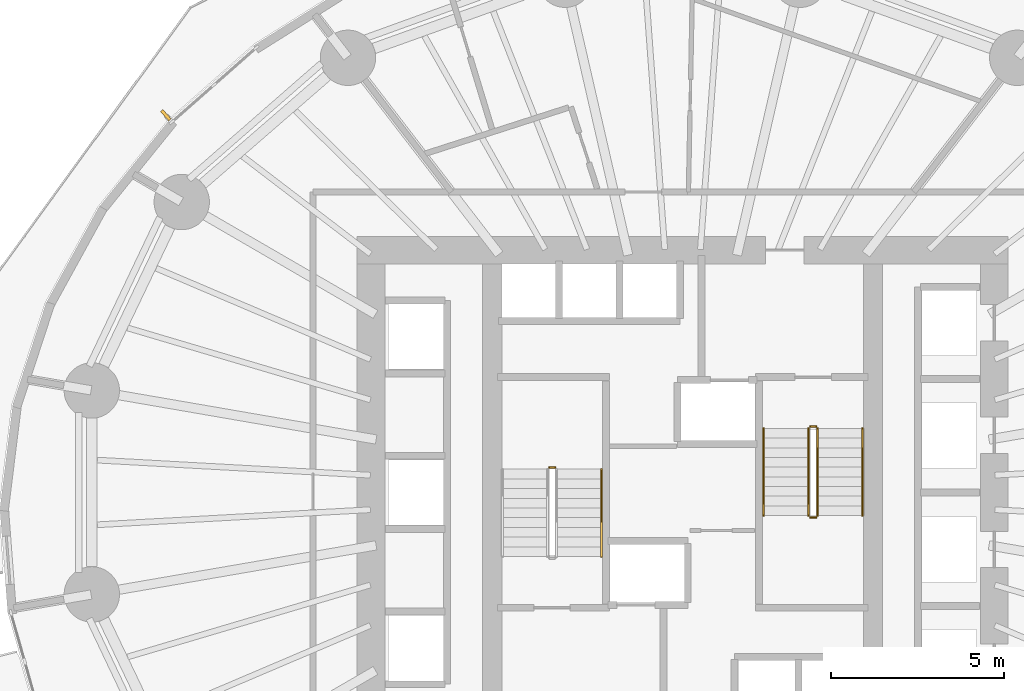
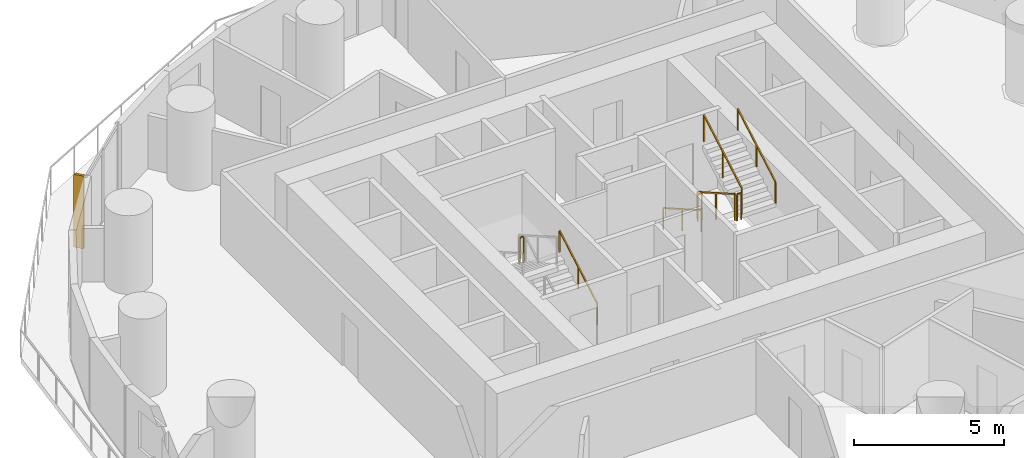
# One storey, part 12 of 13: 8 railings, 1 shading device.
"""IFC4 building model written with IfcOpenShell, lengths in metres."""

from ifc_helpers import new_model, si_unit, direction, frame, origin, origin_2d, place, context, subcontext, project, spatial, rectangle, extrude, material, layer, layer_set, type_object, element, save


model = new_model("IFC4")

# Units and contexts
model_context = context("Model", 3, precision=1e-05, world=origin(), true_north=direction((0.0, 1.0)))
body_context = subcontext(model_context, "Body", "Model", "MODEL_VIEW")
ifc_project = project(units=[si_unit("LENGTHUNIT", "METRE"), si_unit("AREAUNIT", "SQUARE_METRE"), si_unit("VOLUMEUNIT", "CUBIC_METRE"), si_unit("PLANEANGLEUNIT", "RADIAN"), si_unit("MASSUNIT", "GRAM", prefix="KILO")], contexts=[model_context])

# Site, building, storey
site_placement = place(None, origin())
site = spatial("IfcSite", under=ifc_project, at=site_placement, CompositionType="ELEMENT")
building_placement = place(site_placement, origin())
building = spatial("IfcBuilding", under=site, at=building_placement, Name="Veldorim Arch Residences", CompositionType="ELEMENT")
storey_placement = place(building_placement, frame((0.0, 0.0, 44.0)))
storey = spatial("IfcBuildingStorey", under=building, at=storey_placement, Name="L12", CompositionType="ELEMENT", Elevation=44.0)

# Railings
ifc_material_1 = material(Name="Steel S355", Category="steel")
railing_type_1 = type_object("IfcRailingType", Name="Galvanised Steel Stair Safety Guardrail 1100", PredefinedType="GUARDRAIL", material=ifc_material_1)
railing_1_placement = place(storey_placement, frame((28.31005859375, 24.719970703125, 1.60009765625)))
element("IfcRailing", 1, at=railing_1_placement, inside=storey, type_object=railing_type_1, Name="L12 ST-1 stair guard 2", PredefinedType="GUARDRAIL", context=body_context, shape_type="SweptSolid", body=[
    extrude(rectangle(XDim=0.048095703125, YDim=0.048095703125, at=origin_2d()), frame((0.0, 0.0, 1.076171875), z_axis=(-1.0, 0.0, 0.0), x_axis=(0.0, -1.0, 0.0)), (0.0, 0.0, 1.0), 0.16015625),
    extrude(rectangle(XDim=0.0419921875, YDim=0.0419921875, at=origin_2d()), origin(), (0.0, 0.0, 1.0), 1.052001953125),
    extrude(rectangle(XDim=0.0419921875, YDim=0.0419921875, at=origin_2d()), frame((-0.16015625, 0.0, 0.0)), (0.0, 0.0, 1.0), 1.052001953125),
])
railing_2_placement = place(storey_placement, frame((35.639892578125, 25.85009765625, 0.159912109375)))
element("IfcRailing", 2, at=railing_2_placement, inside=storey, type_object=railing_type_1, Name="L12 ST-2 stair guard 1", PredefinedType="GUARDRAIL", context=body_context, shape_type="SweptSolid", body=[
    extrude(rectangle(XDim=0.048095703125, YDim=0.048095703125, at=origin_2d()), frame((0.0, 0.0, 1.076171875), z_axis=(0.0, -0.868217259934, 0.496184229447), x_axis=(1.0, 0.0, 0.0)), (0.0, 0.0, 1.0), 2.902587890625),
    extrude(rectangle(XDim=0.0419921875, YDim=0.0419921875, at=origin_2d()), origin(), (0.0, 0.0, 1.0), 1.052001953125),
    extrude(rectangle(XDim=0.0419921875, YDim=0.0419921875, at=origin_2d()), frame((0.0, -1.260009765625, 0.72021484375)), (0.0, 0.0, 1.0), 1.052001953125),
    extrude(rectangle(XDim=0.0419921875, YDim=0.0419921875, at=origin_2d()), frame((0.0, -2.52001953125, 1.440185546875)), (0.0, 0.0, 1.0), 1.052001953125),
])
railing_3_placement = place(storey_placement, frame((35.68994140625, 23.280029296875, 1.60009765625)))
element("IfcRailing", 3, at=railing_3_placement, inside=storey, type_object=railing_type_1, Name="L12 ST-2 stair guard 2", PredefinedType="GUARDRAIL", context=body_context, shape_type="SweptSolid", body=[
    extrude(rectangle(XDim=0.048095703125, YDim=0.048095703125, at=origin_2d()), frame((0.0, 0.0, 1.076171875), z_axis=(1.0, 0.0, 0.0), x_axis=(0.0, 1.0, 0.0)), (0.0, 0.0, 1.0), 0.16015625),
    extrude(rectangle(XDim=0.0419921875, YDim=0.0419921875, at=origin_2d()), origin(), (0.0, 0.0, 1.0), 1.052001953125),
    extrude(rectangle(XDim=0.0419921875, YDim=0.0419921875, at=origin_2d()), frame((0.16015625, 0.0, 0.0)), (0.0, 0.0, 1.0), 1.052001953125),
])
railing_4_placement = place(storey_placement, frame((35.89990234375, 23.330078125, 1.760009765625)))
element("IfcRailing", 4, at=railing_4_placement, inside=storey, type_object=railing_type_1, Name="L12 ST-2 stair guard 3", PredefinedType="GUARDRAIL", context=body_context, shape_type="SweptSolid", body=[
    extrude(rectangle(XDim=0.048095703125, YDim=0.048095703125, at=origin_2d()), frame((0.0, 0.0, 1.076171875), z_axis=(0.0, 0.868253494771, 0.496120820787), x_axis=(-1.0, 0.0, 0.0)), (0.0, 0.0, 1.0), 2.90234375),
    extrude(rectangle(XDim=0.0419921875, YDim=0.0419921875, at=origin_2d()), origin(), (0.0, 0.0, 1.0), 1.052001953125),
    extrude(rectangle(XDim=0.0419921875, YDim=0.0419921875, at=origin_2d()), frame((0.0, 1.260009765625, 0.719970703125)), (0.0, 0.0, 1.0), 1.052001953125),
    extrude(rectangle(XDim=0.0419921875, YDim=0.0419921875, at=origin_2d()), frame((0.0, 2.52001953125, 1.43994140625)), (0.0, 0.0, 1.0), 1.052001953125),
])
railing_5_placement = place(storey_placement, frame((35.68994140625, 25.89990234375, 0.0)))
element("IfcRailing", 5, at=railing_5_placement, inside=storey, type_object=railing_type_1, Name="L12 ST-2 stair guard 4", PredefinedType="GUARDRAIL", context=body_context, shape_type="SweptSolid", body=[
    extrude(rectangle(XDim=0.048095703125, YDim=0.048095703125, at=origin_2d()), frame((0.0, 0.0, 1.076171875), z_axis=(1.0, 0.0, 0.0), x_axis=(0.0, 1.0, 0.0)), (0.0, 0.0, 1.0), 0.16015625),
    extrude(rectangle(XDim=0.0419921875, YDim=0.0419921875, at=origin_2d()), origin(), (0.0, 0.0, 1.0), 1.052001953125),
    extrude(rectangle(XDim=0.0419921875, YDim=0.0419921875, at=origin_2d()), frame((0.16015625, 0.0, 0.0)), (0.0, 0.0, 1.0), 1.052001953125),
])
ifc_material_2 = material(Name="Stainless Steel", Category="steel")
railing_type_2 = type_object("IfcRailingType", Name="Tubular Steel Continuous Wall Handrail 900", PredefinedType="HANDRAIL", material=ifc_material_2)
railing_6_placement = place(storey_placement, frame((29.659912109375, 22.14990234375, 0.159912109375)))
element("IfcRailing", 6, at=railing_6_placement, inside=storey, type_object=railing_type_2, Name="L12 ST-1 stair handrail 1", PredefinedType="HANDRAIL", context=body_context, shape_type="SweptSolid", body=[
    extrude(rectangle(XDim=0.048095703125, YDim=0.048095703125, at=origin_2d()), frame((0.0, 0.0, 0.8759765625), z_axis=(0.0, 0.868217259934, 0.496184229447), x_axis=(-1.0, 0.0, 0.0)), (0.0, 0.0, 1.0), 2.902587890625),
    extrude(rectangle(XDim=0.0419921875, YDim=0.0419921875, at=origin_2d()), origin(), (0.0, 0.0, 1.0), 0.851806640625),
    extrude(rectangle(XDim=0.0419921875, YDim=0.0419921875, at=origin_2d()), frame((0.0, 1.260009765625, 0.72021484375)), (0.0, 0.0, 1.0), 0.851806640625),
    extrude(rectangle(XDim=0.0419921875, YDim=0.0419921875, at=origin_2d()), frame((0.0, 2.52001953125, 1.440185546875)), (0.0, 0.0, 1.0), 0.851806640625),
])
railing_7_placement = place(storey_placement, frame((34.340087890625, 25.85009765625, 0.159912109375)))
element("IfcRailing", 7, at=railing_7_placement, inside=storey, type_object=railing_type_2, Name="L12 ST-2 stair handrail 1", PredefinedType="HANDRAIL", context=body_context, shape_type="SweptSolid", body=[
    extrude(rectangle(XDim=0.048095703125, YDim=0.048095703125, at=origin_2d()), frame((0.0, 0.0, 0.8759765625), z_axis=(0.0, -0.868217259934, 0.496184229447), x_axis=(1.0, 0.0, 0.0)), (0.0, 0.0, 1.0), 2.902587890625),
    extrude(rectangle(XDim=0.0419921875, YDim=0.0419921875, at=origin_2d()), origin(), (0.0, 0.0, 1.0), 0.851806640625),
    extrude(rectangle(XDim=0.0419921875, YDim=0.0419921875, at=origin_2d()), frame((0.0, -1.260009765625, 0.72021484375)), (0.0, 0.0, 1.0), 0.851806640625),
    extrude(rectangle(XDim=0.0419921875, YDim=0.0419921875, at=origin_2d()), frame((0.0, -2.52001953125, 1.440185546875)), (0.0, 0.0, 1.0), 0.851806640625),
])
railing_8_placement = place(storey_placement, frame((37.199951171875, 23.330078125, 1.760009765625)))
element("IfcRailing", 8, at=railing_8_placement, inside=storey, type_object=railing_type_2, Name="L12 ST-2 stair handrail 2", PredefinedType="HANDRAIL", context=body_context, shape_type="SweptSolid", body=[
    extrude(rectangle(XDim=0.048095703125, YDim=0.048095703125, at=origin_2d()), frame((0.0, 0.0, 0.8759765625), z_axis=(0.0, 0.868253494771, 0.496120820787), x_axis=(-1.0, 0.0, 0.0)), (0.0, 0.0, 1.0), 2.90234375),
    extrude(rectangle(XDim=0.0419921875, YDim=0.0419921875, at=origin_2d()), origin(), (0.0, 0.0, 1.0), 0.851806640625),
    extrude(rectangle(XDim=0.0419921875, YDim=0.0419921875, at=origin_2d()), frame((0.0, 1.260009765625, 0.719970703125)), (0.0, 0.0, 1.0), 0.851806640625),
    extrude(rectangle(XDim=0.0419921875, YDim=0.0419921875, at=origin_2d()), frame((0.0, 2.52001953125, 1.43994140625)), (0.0, 0.0, 1.0), 0.851806640625),
])

# Shading device
ifc_material_3 = material(Name="Terracotta Ceramic", Category="masonry")
ifc_layer = layer(ifc_material_3, 0.090087890625, Name="Vertical Extruded Terracotta Baguette Sun-Shading Fin")
ifc_layer_set = layer_set([ifc_layer], Name="Terracotta Ceramic")
shading_device_type = type_object("IfcShadingDeviceType", Name="Vertical Extruded Terracotta Baguette Sun-Shading Fin", PredefinedType="USERDEFINED", material=ifc_layer_set)
shading_device_placement = place(storey_placement, frame((17.073486328125, 34.89599609375, 0.0), z_axis=(0.0, 0.0, 1.0), x_axis=(0.750226478899, 0.661180936173, 0.0)))
element("IfcShadingDevice", 9, at=shading_device_placement, inside=storey, type_object=shading_device_type, Name="L12 vertical terracotta sun-shading fin 13", ObjectType="FIN", PredefinedType="USERDEFINED", context=body_context, shape_type="SweptSolid", body=[
    extrude(rectangle(XDim=0.090087890625, YDim=0.360107421875, at=origin_2d()), origin(), (0.0, 0.0, 1.0), 2.9599609375),
])

save(model, "model.ifc")
